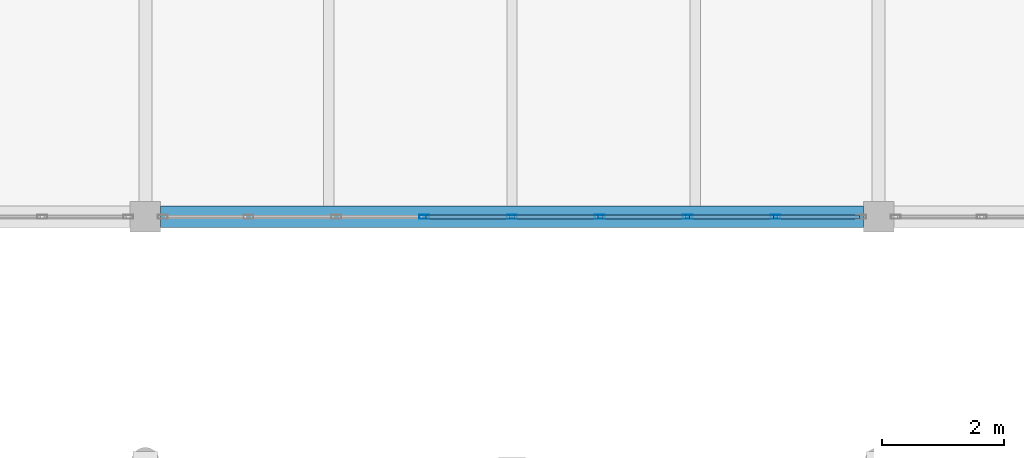
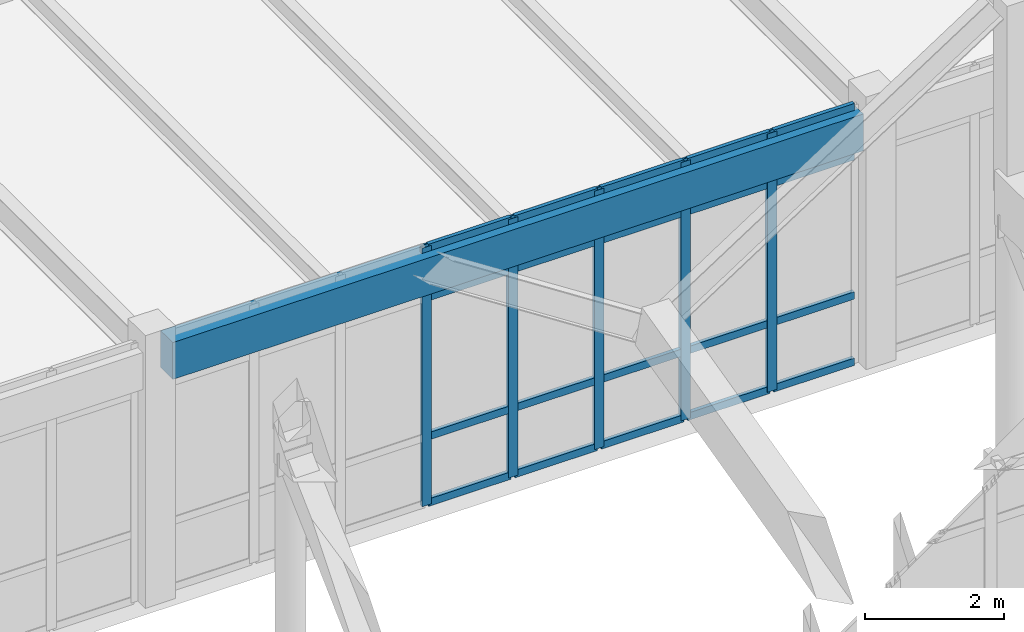
# One storey, part 105 of 236: 25 members, 1 beam, 1 element without a shape of its own.
"""IFC4 building model written with IfcOpenShell, lengths in metres."""

from ifc_helpers import new_model, si_unit, direction, frame, origin, origin_2d, place, context, subcontext, project, spatial, rectangle, hollow_rectangle, extrude, material, layer, layer_set, material_profile, profile_set, type_object, element, aggregate, save


model = new_model("IFC4")

# Units and contexts
model_context = context("Model", 3, precision=1e-05, world=origin(), true_north=direction((0.0, 1.0)))
body_context = subcontext(model_context, "Body", "Model", "MODEL_VIEW")
ifc_project = project(units=[si_unit("LENGTHUNIT", "METRE"), si_unit("AREAUNIT", "SQUARE_METRE"), si_unit("VOLUMEUNIT", "CUBIC_METRE"), si_unit("PLANEANGLEUNIT", "RADIAN"), si_unit("MASSUNIT", "GRAM", prefix="KILO")], contexts=[model_context])

# Site, building, storey
site_placement = place(None, origin())
site = spatial("IfcSite", under=ifc_project, at=site_placement, CompositionType="ELEMENT")
building_placement = place(site_placement, origin())
building = spatial("IfcBuilding", under=site, at=building_placement, Name="Pandanus Reach Market Hall", CompositionType="ELEMENT")
storey_placement = place(building_placement, frame((0.0, 0.0, 5.39990234375)))
storey = spatial("IfcBuildingStorey", under=building, at=storey_placement, Name="L01", CompositionType="ELEMENT", Elevation=5.39990234375)

# Beam
ifc_material_1 = material(Name="Concrete N40 (40 MPa)", Category="concrete")
ifc_material_profile_1 = material_profile(ifc_material_1, rectangle(XDim=0.35009765625, YDim=0.64990234375, at=origin_2d()), Name="RC350x650", Category="LoadBearing")
ifc_profile_set_1 = profile_set([ifc_material_profile_1], Name="Concrete N40 (40 MPa)")
beam_type = type_object("IfcBeamType", Name="BM-RC350-E", PredefinedType="SPANDREL", material=ifc_profile_set_1)
beam_placement = place(storey_placement, frame((108.248046875, 96.0, 4.135009765625), z_axis=(1.0, 0.0, 0.0), x_axis=(0.0, 1.0, 0.0)))
element("IfcBeam", 1, at=beam_placement, inside=storey, type_object=beam_type, Name="Framing beam BM-RC350-E L01.852", PredefinedType="SPANDREL", context=body_context, shape_type="SweptSolid", body=[
    extrude(rectangle(XDim=0.35009765625, YDim=0.64990234375, at=origin_2d()), origin(), (0.0, 0.0, 1.0), 11.50390625),
])

# Curtain wall, members
ifc_material_2 = material(Name="Bronze anodised aluminium and low-E glass", Category="aluminium")
ifc_layer = layer(ifc_material_2, 0.159912109375, Name="CW-38")
ifc_layer_set = layer_set([ifc_layer], Name="Bronze anodised aluminium and low-E glass")
curtain_wall_type = type_object("IfcCurtainWallType", Name="CW-38", PredefinedType="NOTDEFINED", material=ifc_layer_set)
curtain_wall_placement = place(storey_placement, origin())
curtain_wall = element("IfcCurtainWall", 2, at=curtain_wall_placement, inside=storey, type_object=curtain_wall_type, Name="Glazed curtain wall CW-38 CW-0141", PredefinedType="NOTDEFINED")
ifc_material_3 = material(Name="Bronze anodised aluminium", Category="aluminium")
ifc_material_profile_2 = material_profile(ifc_material_3, hollow_rectangle(XDim=0.06494140625, YDim=0.159912109375, WallThickness=0.00390625, at=origin_2d()), Name="ALU65x160", Category="LoadBearing")
ifc_profile_set_2 = profile_set([ifc_material_profile_2], Name="Bronze anodised aluminium")
member_type_1 = type_object("IfcMemberType", Name="CW-M1", PredefinedType="MULLION", material=ifc_profile_set_2)
member_1_placement = place(storey_placement, frame((112.5625, 96.0, 0.0), z_axis=(0.0, 0.0, 1.0), x_axis=(0.0, 1.0, 0.0)))
member_1 = element("IfcMember", 3, at=member_1_placement, type_object=member_type_1, Name="CW-38 mullion 4", PredefinedType="MULLION", context=body_context, shape_type="SweptSolid", body=[
    extrude(hollow_rectangle(XDim=0.06494140625, YDim=0.159912109375, WallThickness=0.00390625, at=origin_2d()), origin(), (0.0, 0.0, 1.0), 4.550048828125),
])
member_2_placement = place(storey_placement, frame((114.0, 96.0, 0.0), z_axis=(0.0, 0.0, 1.0), x_axis=(0.0, 1.0, 0.0)))
member_2 = element("IfcMember", 4, at=member_2_placement, type_object=member_type_1, Name="CW-38 mullion 5", PredefinedType="MULLION", context=body_context, shape_type="SweptSolid", body=[
    extrude(hollow_rectangle(XDim=0.06494140625, YDim=0.159912109375, WallThickness=0.00390625, at=origin_2d()), origin(), (0.0, 0.0, 1.0), 4.550048828125),
])
member_3_placement = place(storey_placement, frame((115.4375, 96.0, 0.0), z_axis=(0.0, 0.0, 1.0), x_axis=(0.0, 1.0, 0.0)))
member_3 = element("IfcMember", 5, at=member_3_placement, type_object=member_type_1, Name="CW-38 mullion 6", PredefinedType="MULLION", context=body_context, shape_type="SweptSolid", body=[
    extrude(hollow_rectangle(XDim=0.06494140625, YDim=0.159912109375, WallThickness=0.00390625, at=origin_2d()), origin(), (0.0, 0.0, 1.0), 4.550048828125),
])
member_4_placement = place(storey_placement, frame((116.875, 96.0, 0.0), z_axis=(0.0, 0.0, 1.0), x_axis=(0.0, 1.0, 0.0)))
member_4 = element("IfcMember", 6, at=member_4_placement, type_object=member_type_1, Name="CW-38 mullion 7", PredefinedType="MULLION", context=body_context, shape_type="SweptSolid", body=[
    extrude(hollow_rectangle(XDim=0.06494140625, YDim=0.159912109375, WallThickness=0.00390625, at=origin_2d()), origin(), (0.0, 0.0, 1.0), 4.550048828125),
])
member_5_placement = place(storey_placement, frame((118.3125, 96.0, 0.0), z_axis=(0.0, 0.0, 1.0), x_axis=(0.0, 1.0, 0.0)))
member_5 = element("IfcMember", 7, at=member_5_placement, type_object=member_type_1, Name="CW-38 mullion 8", PredefinedType="MULLION", context=body_context, shape_type="SweptSolid", body=[
    extrude(hollow_rectangle(XDim=0.06494140625, YDim=0.159912109375, WallThickness=0.00390625, at=origin_2d()), origin(), (0.0, 0.0, 1.0), 4.550048828125),
])
ifc_material_profile_3 = material_profile(ifc_material_3, hollow_rectangle(XDim=0.06494140625, YDim=0.1298828125, WallThickness=0.00390625, at=origin_2d()), Name="ALU65x130", Category="LoadBearing")
ifc_profile_set_3 = profile_set([ifc_material_profile_3], Name="Bronze anodised aluminium")
member_type_2 = type_object("IfcMemberType", Name="CW-T1", PredefinedType="USERDEFINED", material=ifc_profile_set_3)
member_6_placement = place(storey_placement, frame((112.594970703125, 96.0, 0.03271484375), z_axis=(1.0, 0.0, 0.0), x_axis=(0.0, 1.0, 0.0)))
member_6 = element("IfcMember", 8, at=member_6_placement, type_object=member_type_2, Name="CW-38 transom 4.1", ObjectType="TRANSOM", PredefinedType="USERDEFINED", context=body_context, shape_type="SweptSolid", body=[
    extrude(hollow_rectangle(XDim=0.06494140625, YDim=0.1298828125, WallThickness=0.00390625, at=origin_2d()), origin(), (0.0, 0.0, 1.0), 1.37255859375),
])
member_7_placement = place(storey_placement, frame((112.594970703125, 96.0, 1.2001953125), z_axis=(1.0, 0.0, 0.0), x_axis=(0.0, 1.0, 0.0)))
member_7 = element("IfcMember", 9, at=member_7_placement, type_object=member_type_2, Name="CW-38 transom 4.2", ObjectType="TRANSOM", PredefinedType="USERDEFINED", context=body_context, shape_type="SweptSolid", body=[
    extrude(hollow_rectangle(XDim=0.06494140625, YDim=0.1298828125, WallThickness=0.00390625, at=origin_2d()), origin(), (0.0, 0.0, 1.0), 1.37255859375),
])
member_8_placement = place(storey_placement, frame((112.594970703125, 96.0, 3.650146484375), z_axis=(1.0, 0.0, 0.0), x_axis=(0.0, 1.0, 0.0)))
member_8 = element("IfcMember", 10, at=member_8_placement, type_object=member_type_2, Name="CW-38 transom 4.3", ObjectType="TRANSOM", PredefinedType="USERDEFINED", context=body_context, shape_type="SweptSolid", body=[
    extrude(hollow_rectangle(XDim=0.06494140625, YDim=0.1298828125, WallThickness=0.00390625, at=origin_2d()), origin(), (0.0, 0.0, 1.0), 1.37255859375),
])
member_9_placement = place(storey_placement, frame((112.594970703125, 96.0, 4.517578125), z_axis=(1.0, 0.0, 0.0), x_axis=(0.0, 1.0, 0.0)))
member_9 = element("IfcMember", 11, at=member_9_placement, type_object=member_type_2, Name="CW-38 transom 4.4", ObjectType="TRANSOM", PredefinedType="USERDEFINED", context=body_context, shape_type="SweptSolid", body=[
    extrude(hollow_rectangle(XDim=0.06494140625, YDim=0.1298828125, WallThickness=0.00390625, at=origin_2d()), origin(), (0.0, 0.0, 1.0), 1.37255859375),
])
member_10_placement = place(storey_placement, frame((114.032470703125, 96.0, 0.03271484375), z_axis=(1.0, 0.0, 0.0), x_axis=(0.0, 1.0, 0.0)))
member_10 = element("IfcMember", 12, at=member_10_placement, type_object=member_type_2, Name="CW-38 transom 5.1", ObjectType="TRANSOM", PredefinedType="USERDEFINED", context=body_context, shape_type="SweptSolid", body=[
    extrude(hollow_rectangle(XDim=0.06494140625, YDim=0.1298828125, WallThickness=0.00390625, at=origin_2d()), origin(), (0.0, 0.0, 1.0), 1.37255859375),
])
member_11_placement = place(storey_placement, frame((114.032470703125, 96.0, 1.2001953125), z_axis=(1.0, 0.0, 0.0), x_axis=(0.0, 1.0, 0.0)))
member_11 = element("IfcMember", 13, at=member_11_placement, type_object=member_type_2, Name="CW-38 transom 5.2", ObjectType="TRANSOM", PredefinedType="USERDEFINED", context=body_context, shape_type="SweptSolid", body=[
    extrude(hollow_rectangle(XDim=0.06494140625, YDim=0.1298828125, WallThickness=0.00390625, at=origin_2d()), origin(), (0.0, 0.0, 1.0), 1.37255859375),
])
member_12_placement = place(storey_placement, frame((114.032470703125, 96.0, 3.650146484375), z_axis=(1.0, 0.0, 0.0), x_axis=(0.0, 1.0, 0.0)))
member_12 = element("IfcMember", 14, at=member_12_placement, type_object=member_type_2, Name="CW-38 transom 5.3", ObjectType="TRANSOM", PredefinedType="USERDEFINED", context=body_context, shape_type="SweptSolid", body=[
    extrude(hollow_rectangle(XDim=0.06494140625, YDim=0.1298828125, WallThickness=0.00390625, at=origin_2d()), origin(), (0.0, 0.0, 1.0), 1.37255859375),
])
member_13_placement = place(storey_placement, frame((114.032470703125, 96.0, 4.517578125), z_axis=(1.0, 0.0, 0.0), x_axis=(0.0, 1.0, 0.0)))
member_13 = element("IfcMember", 15, at=member_13_placement, type_object=member_type_2, Name="CW-38 transom 5.4", ObjectType="TRANSOM", PredefinedType="USERDEFINED", context=body_context, shape_type="SweptSolid", body=[
    extrude(hollow_rectangle(XDim=0.06494140625, YDim=0.1298828125, WallThickness=0.00390625, at=origin_2d()), origin(), (0.0, 0.0, 1.0), 1.37255859375),
])
member_14_placement = place(storey_placement, frame((115.469970703125, 96.0, 0.03271484375), z_axis=(1.0, 0.0, 0.0), x_axis=(0.0, 1.0, 0.0)))
member_14 = element("IfcMember", 16, at=member_14_placement, type_object=member_type_2, Name="CW-38 transom 6.1", ObjectType="TRANSOM", PredefinedType="USERDEFINED", context=body_context, shape_type="SweptSolid", body=[
    extrude(hollow_rectangle(XDim=0.06494140625, YDim=0.1298828125, WallThickness=0.00390625, at=origin_2d()), origin(), (0.0, 0.0, 1.0), 1.37255859375),
])
member_15_placement = place(storey_placement, frame((115.469970703125, 96.0, 1.2001953125), z_axis=(1.0, 0.0, 0.0), x_axis=(0.0, 1.0, 0.0)))
member_15 = element("IfcMember", 17, at=member_15_placement, type_object=member_type_2, Name="CW-38 transom 6.2", ObjectType="TRANSOM", PredefinedType="USERDEFINED", context=body_context, shape_type="SweptSolid", body=[
    extrude(hollow_rectangle(XDim=0.06494140625, YDim=0.1298828125, WallThickness=0.00390625, at=origin_2d()), origin(), (0.0, 0.0, 1.0), 1.37255859375),
])
member_16_placement = place(storey_placement, frame((115.469970703125, 96.0, 3.650146484375), z_axis=(1.0, 0.0, 0.0), x_axis=(0.0, 1.0, 0.0)))
member_16 = element("IfcMember", 18, at=member_16_placement, type_object=member_type_2, Name="CW-38 transom 6.3", ObjectType="TRANSOM", PredefinedType="USERDEFINED", context=body_context, shape_type="SweptSolid", body=[
    extrude(hollow_rectangle(XDim=0.06494140625, YDim=0.1298828125, WallThickness=0.00390625, at=origin_2d()), origin(), (0.0, 0.0, 1.0), 1.37255859375),
])
member_17_placement = place(storey_placement, frame((115.469970703125, 96.0, 4.517578125), z_axis=(1.0, 0.0, 0.0), x_axis=(0.0, 1.0, 0.0)))
member_17 = element("IfcMember", 19, at=member_17_placement, type_object=member_type_2, Name="CW-38 transom 6.4", ObjectType="TRANSOM", PredefinedType="USERDEFINED", context=body_context, shape_type="SweptSolid", body=[
    extrude(hollow_rectangle(XDim=0.06494140625, YDim=0.1298828125, WallThickness=0.00390625, at=origin_2d()), origin(), (0.0, 0.0, 1.0), 1.37255859375),
])
member_18_placement = place(storey_placement, frame((116.907470703125, 96.0, 0.03271484375), z_axis=(1.0, 0.0, 0.0), x_axis=(0.0, 1.0, 0.0)))
member_18 = element("IfcMember", 20, at=member_18_placement, type_object=member_type_2, Name="CW-38 transom 7.1", ObjectType="TRANSOM", PredefinedType="USERDEFINED", context=body_context, shape_type="SweptSolid", body=[
    extrude(hollow_rectangle(XDim=0.06494140625, YDim=0.1298828125, WallThickness=0.00390625, at=origin_2d()), origin(), (0.0, 0.0, 1.0), 1.37255859375),
])
member_19_placement = place(storey_placement, frame((116.907470703125, 96.0, 1.2001953125), z_axis=(1.0, 0.0, 0.0), x_axis=(0.0, 1.0, 0.0)))
member_19 = element("IfcMember", 21, at=member_19_placement, type_object=member_type_2, Name="CW-38 transom 7.2", ObjectType="TRANSOM", PredefinedType="USERDEFINED", context=body_context, shape_type="SweptSolid", body=[
    extrude(hollow_rectangle(XDim=0.06494140625, YDim=0.1298828125, WallThickness=0.00390625, at=origin_2d()), origin(), (0.0, 0.0, 1.0), 1.37255859375),
])
member_20_placement = place(storey_placement, frame((116.907470703125, 96.0, 3.650146484375), z_axis=(1.0, 0.0, 0.0), x_axis=(0.0, 1.0, 0.0)))
member_20 = element("IfcMember", 22, at=member_20_placement, type_object=member_type_2, Name="CW-38 transom 7.3", ObjectType="TRANSOM", PredefinedType="USERDEFINED", context=body_context, shape_type="SweptSolid", body=[
    extrude(hollow_rectangle(XDim=0.06494140625, YDim=0.1298828125, WallThickness=0.00390625, at=origin_2d()), origin(), (0.0, 0.0, 1.0), 1.37255859375),
])
member_21_placement = place(storey_placement, frame((116.907470703125, 96.0, 4.517578125), z_axis=(1.0, 0.0, 0.0), x_axis=(0.0, 1.0, 0.0)))
member_21 = element("IfcMember", 23, at=member_21_placement, type_object=member_type_2, Name="CW-38 transom 7.4", ObjectType="TRANSOM", PredefinedType="USERDEFINED", context=body_context, shape_type="SweptSolid", body=[
    extrude(hollow_rectangle(XDim=0.06494140625, YDim=0.1298828125, WallThickness=0.00390625, at=origin_2d()), origin(), (0.0, 0.0, 1.0), 1.37255859375),
])
member_22_placement = place(storey_placement, frame((118.344970703125, 96.0, 0.03271484375), z_axis=(1.0, 0.0, 0.0), x_axis=(0.0, 1.0, 0.0)))
member_22 = element("IfcMember", 24, at=member_22_placement, type_object=member_type_2, Name="CW-38 transom 8.1", ObjectType="TRANSOM", PredefinedType="USERDEFINED", context=body_context, shape_type="SweptSolid", body=[
    extrude(hollow_rectangle(XDim=0.06494140625, YDim=0.1298828125, WallThickness=0.00390625, at=origin_2d()), origin(), (0.0, 0.0, 1.0), 1.340087890625),
])
member_23_placement = place(storey_placement, frame((118.344970703125, 96.0, 1.2001953125), z_axis=(1.0, 0.0, 0.0), x_axis=(0.0, 1.0, 0.0)))
member_23 = element("IfcMember", 25, at=member_23_placement, type_object=member_type_2, Name="CW-38 transom 8.2", ObjectType="TRANSOM", PredefinedType="USERDEFINED", context=body_context, shape_type="SweptSolid", body=[
    extrude(hollow_rectangle(XDim=0.06494140625, YDim=0.1298828125, WallThickness=0.00390625, at=origin_2d()), origin(), (0.0, 0.0, 1.0), 1.340087890625),
])
member_24_placement = place(storey_placement, frame((118.344970703125, 96.0, 3.650146484375), z_axis=(1.0, 0.0, 0.0), x_axis=(0.0, 1.0, 0.0)))
member_24 = element("IfcMember", 26, at=member_24_placement, type_object=member_type_2, Name="CW-38 transom 8.3", ObjectType="TRANSOM", PredefinedType="USERDEFINED", context=body_context, shape_type="SweptSolid", body=[
    extrude(hollow_rectangle(XDim=0.06494140625, YDim=0.1298828125, WallThickness=0.00390625, at=origin_2d()), origin(), (0.0, 0.0, 1.0), 1.340087890625),
])
member_25_placement = place(storey_placement, frame((118.344970703125, 96.0, 4.517578125), z_axis=(1.0, 0.0, 0.0), x_axis=(0.0, 1.0, 0.0)))
member_25 = element("IfcMember", 27, at=member_25_placement, type_object=member_type_2, Name="CW-38 transom 8.4", ObjectType="TRANSOM", PredefinedType="USERDEFINED", context=body_context, shape_type="SweptSolid", body=[
    extrude(hollow_rectangle(XDim=0.06494140625, YDim=0.1298828125, WallThickness=0.00390625, at=origin_2d()), origin(), (0.0, 0.0, 1.0), 1.340087890625),
])
aggregate(curtain_wall, [member_1, member_2, member_3, member_4, member_5, member_6, member_7, member_8, member_9, member_10, member_11, member_12, member_13, member_14, member_15, member_16, member_17, member_18, member_19, member_20, member_21, member_22, member_23, member_24, member_25])

save(model, "model.ifc")
